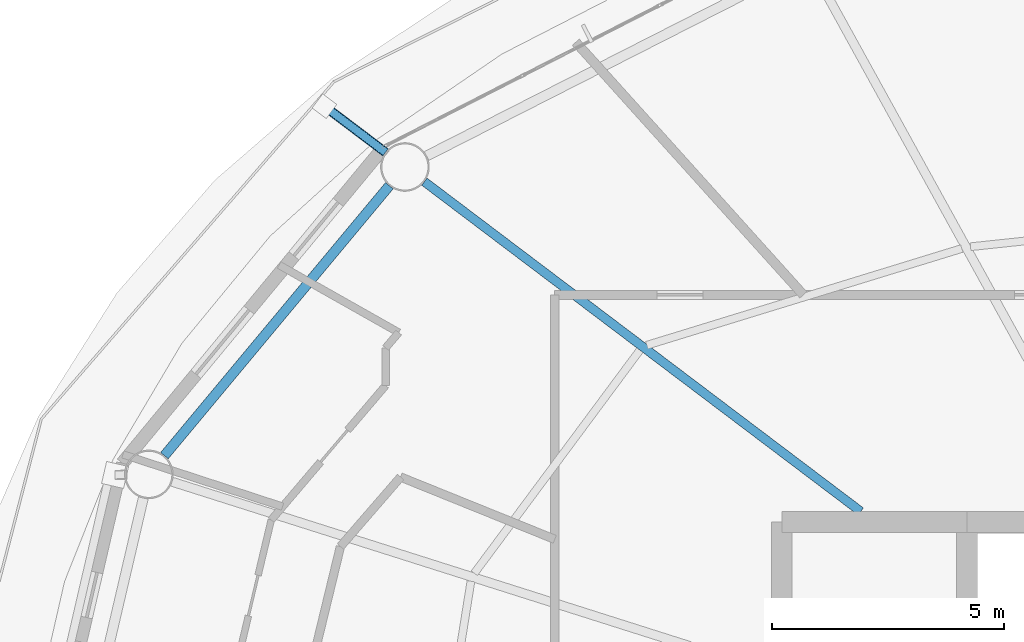
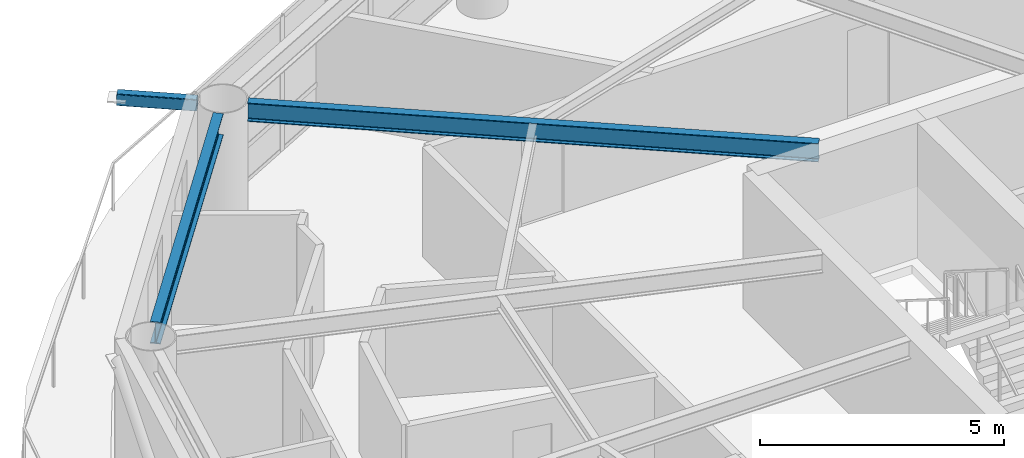
# One storey, part 10 of 29: 2 beams, 1 member.
"""IFC4 building model written with IfcOpenShell, lengths in metres."""

import ifcopenshell
import ifcopenshell.guid

model = None  # the IFC model being written
_history = None  # IfcOwnerHistory: only IFC2X3 demands one
_inside = {}  # id of a spatial element -> (the spatial element, [elements in it])
_under = {}  # id of a project, library or spatial element -> (it, [spatial elements below it])
_declared = {}  # id of a project -> (the project, [libraries it declares])
_typed = {}  # id of a type object -> (the type object, [elements of that type])
_made_of = {}  # id of a material, layer set ... -> (it, [elements and type objects made of it])


def new_model(schema):
    """Start an empty IFC model of exactly this schema.

    Asked for "IFC4X3", IfcOpenShell would pick the latest addendum, in which some entities
    have other attributes; the version numbers below select the first issue.
    IFC2X3 requires an IfcOwnerHistory on every rooted entity: one is made here for all.
    """
    global model, _history
    if schema == "IFC4X3":
        model = ifcopenshell.file(schema_version=(4, 3, 0, 0))
    else:
        model = ifcopenshell.file(schema=schema)
    _inside.clear()
    _under.clear()
    _declared.clear()
    _typed.clear()
    _made_of.clear()
    _history = None
    if model.schema == "IFC2X3":
        org = make("IfcOrganization", Name="unknown")
        user = make(
            "IfcPersonAndOrganization",
            ThePerson=make("IfcPerson", FamilyName="unknown"),
            TheOrganization=org,
        )
        app = make(
            "IfcApplication",
            ApplicationDeveloper=org,
            Version="unknown",
            ApplicationFullName="unknown",
            ApplicationIdentifier="unknown",
        )
        _history = make(
            "IfcOwnerHistory",
            OwningUser=user,
            OwningApplication=app,
            ChangeAction="ADDED",
            CreationDate=0,
        )
    return model


def make(cls, **values):
    """One entity of the class cls with the attributes given. An attribute that is None is left unset."""
    return model.create_entity(
        cls, **{name: value for name, value in values.items() if value is not None}
    )


def rooted(cls, **values):
    """An entity with a GlobalId (a new one), such as an element, a storey or a relation."""
    return make(cls, GlobalId=ifcopenshell.guid.new(), OwnerHistory=_history, **values)


def si_unit(unit_type, name, prefix=None):
    """IfcSIUnit, for example si_unit("LENGTHUNIT", "METRE", prefix="MILLI")."""
    return make("IfcSIUnit", UnitType=unit_type, Prefix=prefix, Name=name)


def assignment(units):
    """IfcUnitAssignment: the units of a project."""
    return None if units is None else make("IfcUnitAssignment", Units=units)


def point(xyz):
    """IfcCartesianPoint."""
    return None if xyz is None else make("IfcCartesianPoint", Coordinates=xyz)


def direction(xyz):
    """IfcDirection."""
    return None if xyz is None else make("IfcDirection", DirectionRatios=xyz)


def frame(location, z_axis=None, x_axis=None):
    """IfcAxis2Placement3D, a coordinate frame: its origin and axes. An axis left out is left unset."""
    return make(
        "IfcAxis2Placement3D",
        Location=point(location),
        Axis=direction(z_axis),
        RefDirection=direction(x_axis),
    )


def frame_2d(location, x_axis=None):
    """IfcAxis2Placement2D, a coordinate frame in the plane: its origin and x axis."""
    return make(
        "IfcAxis2Placement2D", Location=point(location), RefDirection=direction(x_axis)
    )


def origin():
    """The frame at (0, 0, 0) with its axes left unset."""
    return frame((0.0, 0.0, 0.0))


def origin_2d():
    """The frame at (0, 0) in the plane with its x axis left unset."""
    return frame_2d((0.0, 0.0))


def place(relative_to, where):
    """IfcLocalPlacement: puts the frame where relative to a parent placement (None: the world)."""
    return make(
        "IfcLocalPlacement", PlacementRelTo=relative_to, RelativePlacement=where
    )


def context(
    kind, dimensions, precision=None, world=None, true_north=None, identifier=None
):
    """IfcGeometricRepresentationContext, for example the 3D "Model" context."""
    return make(
        "IfcGeometricRepresentationContext",
        ContextIdentifier=identifier,
        ContextType=kind,
        CoordinateSpaceDimension=dimensions,
        Precision=precision,
        WorldCoordinateSystem=world,
        TrueNorth=true_north,
    )


def subcontext(parent, identifier, kind, view, scale=None):
    """IfcGeometricRepresentationSubContext, for example "Body" below "Model"."""
    return make(
        "IfcGeometricRepresentationSubContext",
        ContextIdentifier=identifier,
        ContextType=kind,
        ParentContext=parent,
        TargetScale=scale,
        TargetView=view,
    )


def project(units=None, contexts=None):
    """IfcProject with its units and contexts."""
    return rooted(
        "IfcProject",
        Name="project",
        RepresentationContexts=contexts,
        UnitsInContext=assignment(units),
    )


def spatial(cls, under=None, at=None, **own):
    """A site, building, storey or space (cls), placed at a placement, below another one or the project."""
    s = rooted(cls, ObjectPlacement=at, **own)
    if under is not None:
        _under.setdefault(under.id(), (under, []))[1].append(s)
    return s


def profile(cls, at=None, kind="AREA", **sizes):
    """A parametric profile (cls). Its sizes go by their IFC names, for example OverallWidth=200.0."""
    return make(cls, ProfileType=kind, Position=at, **sizes)


def hollow_rectangle(**sizes):
    """IfcRectangleHollowProfileDef."""
    return profile("IfcRectangleHollowProfileDef", **sizes)


def i_section(**sizes):
    """IfcIShapeProfileDef."""
    return profile("IfcIShapeProfileDef", **sizes)


def extrude(swept, where, along, depth):
    """IfcExtrudedAreaSolid: the profile swept, set in the frame where, extruded along a direction by depth."""
    return make(
        "IfcExtrudedAreaSolid",
        SweptArea=swept,
        Position=where,
        ExtrudedDirection=direction(along),
        Depth=depth,
    )


def shape(context_of_items, identifier, shape_type, items):
    """IfcShapeRepresentation: the items that make up one representation, for example the "Body"."""
    return make(
        "IfcShapeRepresentation",
        ContextOfItems=context_of_items,
        RepresentationIdentifier=identifier,
        RepresentationType=shape_type,
        Items=items,
    )


def material(Name=None, Category=None):
    """IfcMaterial."""
    return make("IfcMaterial", Name=Name, Category=Category)


def material_profile(
    of_material, cross_section, Name=None, Category=None, Priority=None
):
    """IfcMaterialProfile: a cross section and its material."""
    return make(
        "IfcMaterialProfile",
        Name=Name,
        Material=of_material,
        Profile=cross_section,
        Priority=Priority,
        Category=Category,
    )


def profile_set(profiles, Name=None, composite=None):
    """IfcMaterialProfileSet."""
    return make(
        "IfcMaterialProfileSet",
        Name=Name,
        MaterialProfiles=profiles,
        CompositeProfile=composite,
    )


def made_of(thing, what):
    """Note that an element or type object is made of a material, layer set ...; save() writes the relation."""
    if what is not None:
        _made_of.setdefault(what.id(), (what, []))[1].append(thing)
    return thing


def type_object(cls, material=None, **own):
    """A type object (cls), such as IfcWallType, which elements share."""
    return made_of(rooted(cls, **own), material)


def element(
    cls,
    number,
    at=None,
    inside=None,
    cuts=None,
    type_object=None,
    material=None,
    context=None,
    identifier="Body",
    shape_type=None,
    held_by="IfcProductDefinitionShape",
    body=None,
    shapes=None,
    **own,
):
    """One element of the class cls, such as IfcWall. Its Tag is "e" and its number.

    at: its placement. inside: the storey or other place that contains it. cuts: it is an
    opening in that element (IfcRelVoidsElement). A single representation is given by context,
    identifier, shape_type and body (its items); several are given by shapes. held_by: the class
    of the entity that holds the representations. save() writes the other relations.
    """
    e = rooted(cls, Tag="e%d" % number, ObjectPlacement=at, **own)
    if body is not None:
        shapes = [shape(context, identifier, shape_type, body)]
    if shapes is not None:
        e.Representation = make(held_by, Representations=shapes)
    if inside is not None:
        _inside.setdefault(inside.id(), (inside, []))[1].append(e)
    if cuts is not None:
        rooted(
            "IfcRelVoidsElement", RelatingBuildingElement=cuts, RelatedOpeningElement=e
        )
    if type_object is not None:
        _typed.setdefault(type_object.id(), (type_object, []))[1].append(e)
    return made_of(e, material)


def aggregate(whole, parts):
    """IfcRelAggregates: a whole, such as a stair, and the parts it consists of."""
    return rooted("IfcRelAggregates", RelatingObject=whole, RelatedObjects=parts)


def save(model, path):
    """Write the relations noted so far, then the file.

    IfcRelAggregates (storeys below a building ...), IfcRelContainedInSpatialStructure (elements
    in a storey), IfcRelDefinesByType, IfcRelAssociatesMaterial and IfcRelDeclares: one each for
    every whole, place, type object, material and project.
    """
    for whole, parts in _under.values():
        aggregate(whole, parts)
    for where, things in _inside.values():
        rooted(
            "IfcRelContainedInSpatialStructure",
            RelatedElements=things,
            RelatingStructure=where,
        )
    for kind, things in _typed.values():
        rooted("IfcRelDefinesByType", RelatedObjects=things, RelatingType=kind)
    for what, things in _made_of.values():
        rooted("IfcRelAssociatesMaterial", RelatedObjects=things, RelatingMaterial=what)
    for by, libraries in _declared.values():
        rooted("IfcRelDeclares", RelatingContext=by, RelatedDefinitions=libraries)
    model.write(path)


model = new_model("IFC4")

# Units and contexts
model_context = context("Model", 3, precision=1e-05, world=origin(), true_north=direction((0.0, 1.0)))
body_context = subcontext(model_context, "Body", "Model", "MODEL_VIEW")
ifc_project = project(units=[si_unit("LENGTHUNIT", "METRE"), si_unit("AREAUNIT", "SQUARE_METRE"), si_unit("VOLUMEUNIT", "CUBIC_METRE"), si_unit("PLANEANGLEUNIT", "RADIAN"), si_unit("MASSUNIT", "GRAM", prefix="KILO")], contexts=[model_context])

# Site, building, storey
site_placement = place(None, origin())
site = spatial("IfcSite", under=ifc_project, at=site_placement, CompositionType="ELEMENT")
building_placement = place(site_placement, origin())
building = spatial("IfcBuilding", under=site, at=building_placement, Name="Sarneth Arch Tower", CompositionType="ELEMENT")
storey_placement = place(building_placement, frame((0.0, 0.0, 165.0)))
storey = spatial("IfcBuildingStorey", under=building, at=storey_placement, Name="L41", CompositionType="ELEMENT", Elevation=165.0)

# Beams
ifc_material_1 = material(Name="Steel S355", Category="steel")
ifc_material_profile_1 = material_profile(ifc_material_1, i_section(OverallWidth=0.193115234375, OverallDepth=0.466064453125, WebThickness=0.011474609375, FlangeThickness=0.01904296875, FilletRadius=0.01806640625, at=origin_2d()), Name="W460x97")
ifc_profile_set_1 = profile_set([ifc_material_profile_1], Name="Steel S355")
beam_type_1 = type_object("IfcBeamType", Name="BM-RAD-460C", PredefinedType="BEAM", material=ifc_profile_set_1)
beam_1_placement = place(storey_placement, frame((38.70458984375, 49.02490234375, 3.14697265625), z_axis=(-0.797786205076, 0.602940437349, 0.0), x_axis=(-0.602940437349, -0.797786205076, 0.0)))
element("IfcBeam", 1, at=beam_1_placement, inside=storey, type_object=beam_type_1, Name="L41 Radial floor girder 07", PredefinedType="BEAM", context=body_context, shape_type="SweptSolid", body=[
    extrude(i_section(OverallWidth=0.193115234375, OverallDepth=0.466064453125, WebThickness=0.011474609375, FlangeThickness=0.01904296875, FilletRadius=0.01806640625, at=origin_2d()), origin(), (0.0, 0.0, 1.0), 11.806884765625),
])
ifc_material_2 = material(Name="Steel S355", Category="steel")
ifc_material_profile_2 = material_profile(ifc_material_2, i_section(OverallWidth=0.214111328125, OverallDepth=0.549072265625, WebThickness=0.0146484375, FlangeThickness=0.023681640625, FilletRadius=0.01806640625, at=origin_2d()), Name="W530x138")
ifc_profile_set_2 = profile_set([ifc_material_profile_2], Name="Steel S355")
beam_type_2 = type_object("IfcBeamType", Name="BM-RAD-530A", PredefinedType="BEAM", material=ifc_profile_set_2)
beam_2_placement = place(storey_placement, frame((28.530029296875, 56.056884765625, 3.10546875), z_axis=(-0.640171737024, -0.768231831621, 0.0), x_axis=(0.768231831621, -0.640171737024, 0.0)))
element("IfcBeam", 2, at=beam_2_placement, inside=storey, type_object=beam_type_2, Name="L41 Perimeter spandrel beam 07", PredefinedType="BEAM", context=body_context, shape_type="SweptSolid", body=[
    extrude(i_section(OverallWidth=0.214111328125, OverallDepth=0.549072265625, WebThickness=0.0146484375, FlangeThickness=0.023681640625, FilletRadius=0.01806640625, at=origin_2d()), origin(), (0.0, 0.0, 1.0), 7.585693359375),
])

# Member
ifc_material_3 = material(Name="Steel S355", Category="steel")
ifc_material_profile_3 = material_profile(ifc_material_3, hollow_rectangle(XDim=0.199951171875, YDim=0.300048828125, WallThickness=0.012451171875, InnerFilletRadius=0.018798828125, OuterFilletRadius=0.03125, at=origin_2d()), Name="RHS300x200x12.5")
ifc_profile_set_3 = profile_set([ifc_material_profile_3], Name="Steel S355")
member_type = type_object("IfcMemberType", Name="MEM-CANT-STRUT", PredefinedType="STRUT", material=ifc_profile_set_3)
member_placement = place(storey_placement, frame((28.447265625, 56.77685546875, 3.219970703125), z_axis=(-0.797759896615, 0.602975246052, 0.0), x_axis=(-0.602975246052, -0.797759896615, 0.0)))
element("IfcMember", 3, at=member_placement, inside=storey, type_object=member_type, Name="L41 Balcony cantilever bracket 07", PredefinedType="STRUT", context=body_context, shape_type="SweptSolid", body=[
    extrude(hollow_rectangle(XDim=0.199951171875, YDim=0.300048828125, WallThickness=0.012451171875, InnerFilletRadius=0.018798828125, OuterFilletRadius=0.03125, at=origin_2d()), origin(), (0.0, 0.0, 1.0), 1.65185546875),
])

save(model, "model.ifc")
